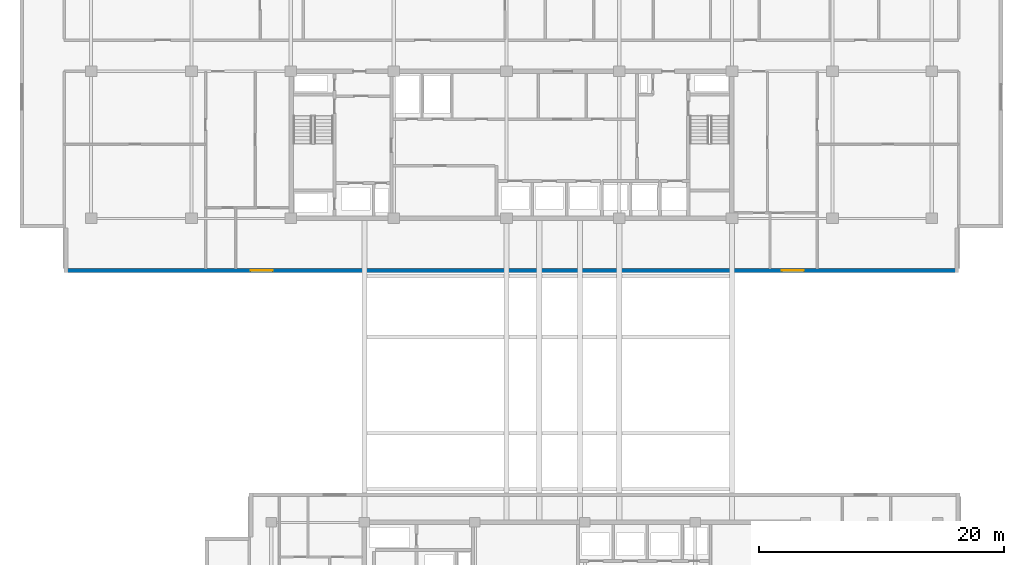
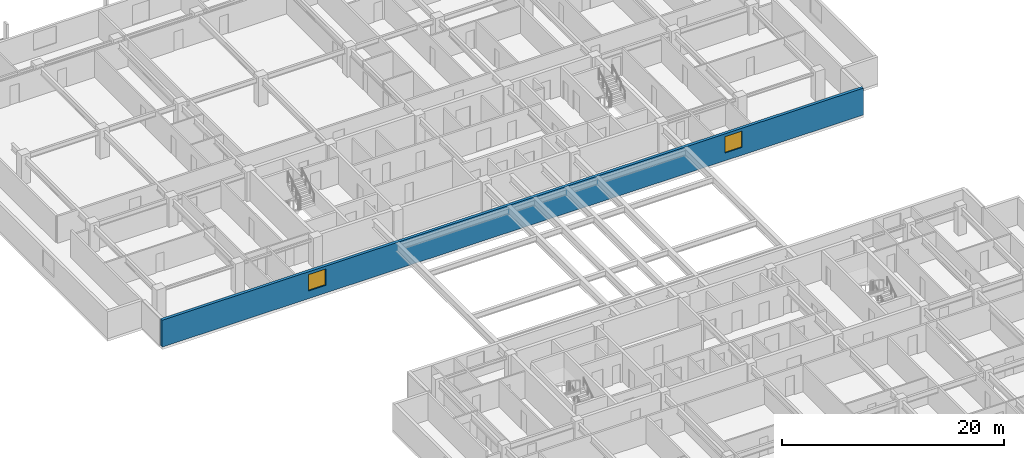
# One storey, part 8 of 21: 2 windows, 1 wall, 2 openings.
"""IFC4 building model written with IfcOpenShell, lengths in metres."""

import ifcopenshell
import ifcopenshell.guid

model = None  # the IFC model being written
_history = None  # IfcOwnerHistory: only IFC2X3 demands one
_inside = {}  # id of a spatial element -> (the spatial element, [elements in it])
_under = {}  # id of a project, library or spatial element -> (it, [spatial elements below it])
_declared = {}  # id of a project -> (the project, [libraries it declares])
_typed = {}  # id of a type object -> (the type object, [elements of that type])
_made_of = {}  # id of a material, layer set ... -> (it, [elements and type objects made of it])


def new_model(schema):
    """Start an empty IFC model of exactly this schema.

    Asked for "IFC4X3", IfcOpenShell would pick the latest addendum, in which some entities
    have other attributes; the version numbers below select the first issue.
    IFC2X3 requires an IfcOwnerHistory on every rooted entity: one is made here for all.
    """
    global model, _history
    if schema == "IFC4X3":
        model = ifcopenshell.file(schema_version=(4, 3, 0, 0))
    else:
        model = ifcopenshell.file(schema=schema)
    _inside.clear()
    _under.clear()
    _declared.clear()
    _typed.clear()
    _made_of.clear()
    _history = None
    if model.schema == "IFC2X3":
        org = make("IfcOrganization", Name="unknown")
        user = make(
            "IfcPersonAndOrganization",
            ThePerson=make("IfcPerson", FamilyName="unknown"),
            TheOrganization=org,
        )
        app = make(
            "IfcApplication",
            ApplicationDeveloper=org,
            Version="unknown",
            ApplicationFullName="unknown",
            ApplicationIdentifier="unknown",
        )
        _history = make(
            "IfcOwnerHistory",
            OwningUser=user,
            OwningApplication=app,
            ChangeAction="ADDED",
            CreationDate=0,
        )
    return model


def make(cls, **values):
    """One entity of the class cls with the attributes given. An attribute that is None is left unset."""
    return model.create_entity(
        cls, **{name: value for name, value in values.items() if value is not None}
    )


def rooted(cls, **values):
    """An entity with a GlobalId (a new one), such as an element, a storey or a relation."""
    return make(cls, GlobalId=ifcopenshell.guid.new(), OwnerHistory=_history, **values)


def si_unit(unit_type, name, prefix=None):
    """IfcSIUnit, for example si_unit("LENGTHUNIT", "METRE", prefix="MILLI")."""
    return make("IfcSIUnit", UnitType=unit_type, Prefix=prefix, Name=name)


def assignment(units):
    """IfcUnitAssignment: the units of a project."""
    return None if units is None else make("IfcUnitAssignment", Units=units)


def point(xyz):
    """IfcCartesianPoint."""
    return None if xyz is None else make("IfcCartesianPoint", Coordinates=xyz)


def direction(xyz):
    """IfcDirection."""
    return None if xyz is None else make("IfcDirection", DirectionRatios=xyz)


def frame(location, z_axis=None, x_axis=None):
    """IfcAxis2Placement3D, a coordinate frame: its origin and axes. An axis left out is left unset."""
    return make(
        "IfcAxis2Placement3D",
        Location=point(location),
        Axis=direction(z_axis),
        RefDirection=direction(x_axis),
    )


def frame_2d(location, x_axis=None):
    """IfcAxis2Placement2D, a coordinate frame in the plane: its origin and x axis."""
    return make(
        "IfcAxis2Placement2D", Location=point(location), RefDirection=direction(x_axis)
    )


def origin():
    """The frame at (0, 0, 0) with its axes left unset."""
    return frame((0.0, 0.0, 0.0))


def place(relative_to, where):
    """IfcLocalPlacement: puts the frame where relative to a parent placement (None: the world)."""
    return make(
        "IfcLocalPlacement", PlacementRelTo=relative_to, RelativePlacement=where
    )


def context(
    kind, dimensions, precision=None, world=None, true_north=None, identifier=None
):
    """IfcGeometricRepresentationContext, for example the 3D "Model" context."""
    return make(
        "IfcGeometricRepresentationContext",
        ContextIdentifier=identifier,
        ContextType=kind,
        CoordinateSpaceDimension=dimensions,
        Precision=precision,
        WorldCoordinateSystem=world,
        TrueNorth=true_north,
    )


def subcontext(parent, identifier, kind, view, scale=None):
    """IfcGeometricRepresentationSubContext, for example "Body" below "Model"."""
    return make(
        "IfcGeometricRepresentationSubContext",
        ContextIdentifier=identifier,
        ContextType=kind,
        ParentContext=parent,
        TargetScale=scale,
        TargetView=view,
    )


def project(units=None, contexts=None):
    """IfcProject with its units and contexts."""
    return rooted(
        "IfcProject",
        Name="project",
        RepresentationContexts=contexts,
        UnitsInContext=assignment(units),
    )


def spatial(cls, under=None, at=None, **own):
    """A site, building, storey or space (cls), placed at a placement, below another one or the project."""
    s = rooted(cls, ObjectPlacement=at, **own)
    if under is not None:
        _under.setdefault(under.id(), (under, []))[1].append(s)
    return s


def profile(cls, at=None, kind="AREA", **sizes):
    """A parametric profile (cls). Its sizes go by their IFC names, for example OverallWidth=200.0."""
    return make(cls, ProfileType=kind, Position=at, **sizes)


def rectangle(**sizes):
    """IfcRectangleProfileDef."""
    return profile("IfcRectangleProfileDef", **sizes)


def extrude(swept, where, along, depth):
    """IfcExtrudedAreaSolid: the profile swept, set in the frame where, extruded along a direction by depth."""
    return make(
        "IfcExtrudedAreaSolid",
        SweptArea=swept,
        Position=where,
        ExtrudedDirection=direction(along),
        Depth=depth,
    )


def shape(context_of_items, identifier, shape_type, items):
    """IfcShapeRepresentation: the items that make up one representation, for example the "Body"."""
    return make(
        "IfcShapeRepresentation",
        ContextOfItems=context_of_items,
        RepresentationIdentifier=identifier,
        RepresentationType=shape_type,
        Items=items,
    )


def material(Name=None, Category=None):
    """IfcMaterial."""
    return make("IfcMaterial", Name=Name, Category=Category)


def layer(
    of_material, thickness, ventilated=None, Name=None, Category=None, Priority=None
):
    """IfcMaterialLayer: one layer of a wall or slab, of a material (None: an air gap)."""
    return make(
        "IfcMaterialLayer",
        Material=of_material,
        LayerThickness=thickness,
        IsVentilated=ventilated,
        Name=Name,
        Category=Category,
        Priority=Priority,
    )


def layer_set(layers, Name=None):
    """IfcMaterialLayerSet."""
    return make("IfcMaterialLayerSet", MaterialLayers=layers, LayerSetName=Name)


def made_of(thing, what):
    """Note that an element or type object is made of a material, layer set ...; save() writes the relation."""
    if what is not None:
        _made_of.setdefault(what.id(), (what, []))[1].append(thing)
    return thing


def type_object(cls, material=None, **own):
    """A type object (cls), such as IfcWallType, which elements share."""
    return made_of(rooted(cls, **own), material)


def element(
    cls,
    number,
    at=None,
    inside=None,
    cuts=None,
    type_object=None,
    material=None,
    context=None,
    identifier="Body",
    shape_type=None,
    held_by="IfcProductDefinitionShape",
    body=None,
    shapes=None,
    **own,
):
    """One element of the class cls, such as IfcWall. Its Tag is "e" and its number.

    at: its placement. inside: the storey or other place that contains it. cuts: it is an
    opening in that element (IfcRelVoidsElement). A single representation is given by context,
    identifier, shape_type and body (its items); several are given by shapes. held_by: the class
    of the entity that holds the representations. save() writes the other relations.
    """
    e = rooted(cls, Tag="e%d" % number, ObjectPlacement=at, **own)
    if body is not None:
        shapes = [shape(context, identifier, shape_type, body)]
    if shapes is not None:
        e.Representation = make(held_by, Representations=shapes)
    if inside is not None:
        _inside.setdefault(inside.id(), (inside, []))[1].append(e)
    if cuts is not None:
        rooted(
            "IfcRelVoidsElement", RelatingBuildingElement=cuts, RelatedOpeningElement=e
        )
    if type_object is not None:
        _typed.setdefault(type_object.id(), (type_object, []))[1].append(e)
    return made_of(e, material)


def fill(opening, filler):
    """IfcRelFillsElement: the door or window that sits in an opening."""
    return rooted(
        "IfcRelFillsElement",
        RelatingOpeningElement=opening,
        RelatedBuildingElement=filler,
    )


def aggregate(whole, parts):
    """IfcRelAggregates: a whole, such as a stair, and the parts it consists of."""
    return rooted("IfcRelAggregates", RelatingObject=whole, RelatedObjects=parts)


def save(model, path):
    """Write the relations noted so far, then the file.

    IfcRelAggregates (storeys below a building ...), IfcRelContainedInSpatialStructure (elements
    in a storey), IfcRelDefinesByType, IfcRelAssociatesMaterial and IfcRelDeclares: one each for
    every whole, place, type object, material and project.
    """
    for whole, parts in _under.values():
        aggregate(whole, parts)
    for where, things in _inside.values():
        rooted(
            "IfcRelContainedInSpatialStructure",
            RelatedElements=things,
            RelatingStructure=where,
        )
    for kind, things in _typed.values():
        rooted("IfcRelDefinesByType", RelatedObjects=things, RelatingType=kind)
    for what, things in _made_of.values():
        rooted("IfcRelAssociatesMaterial", RelatedObjects=things, RelatingMaterial=what)
    for by, libraries in _declared.values():
        rooted("IfcRelDeclares", RelatingContext=by, RelatedDefinitions=libraries)
    model.write(path)


model = new_model("IFC4")

# Units and contexts
model_context = context("Model", 3, precision=1e-05, world=origin(), true_north=direction((0.0, 1.0)))
body_context = subcontext(model_context, "Body", "Model", "MODEL_VIEW")
ifc_project = project(units=[si_unit("LENGTHUNIT", "METRE"), si_unit("AREAUNIT", "SQUARE_METRE"), si_unit("VOLUMEUNIT", "CUBIC_METRE"), si_unit("PLANEANGLEUNIT", "RADIAN"), si_unit("MASSUNIT", "GRAM", prefix="KILO")], contexts=[model_context])

# Site, building, storey
site_placement = place(None, origin())
site = spatial("IfcSite", under=ifc_project, at=site_placement, CompositionType="ELEMENT")
building_placement = place(site_placement, origin())
building = spatial("IfcBuilding", under=site, at=building_placement, Name="Korimba Cascade Residences", CompositionType="ELEMENT")
storey_placement = place(building_placement, frame((0.0, 0.0, 136.050048828125)))
storey = spatial("IfcBuildingStorey", under=building, at=storey_placement, Name="L39", CompositionType="ELEMENT", Elevation=136.050048828125)

# Wall, openings, windows
ifc_material_1 = material(Name="Precast concrete C40/50", Category="concrete")
ifc_layer = layer(ifc_material_1, 0.300048828125)
ifc_layer_set = layer_set([ifc_layer], Name="Precast concrete C40/50")
wall_type = type_object("IfcWallType", Name="EW-STONE-300", PredefinedType="STANDARD", material=ifc_layer_set)
wall_placement = place(storey_placement, frame((57.60009765625, 50.949951171875, 0.0), z_axis=(0.0, 0.0, 1.0), x_axis=(1.0, 0.0, 0.0)))
wall = element("IfcWall", 1, at=wall_placement, inside=storey, type_object=wall_type, Name="L39 T1 Perimeter Stone Wall E00", PredefinedType="STANDARD", context=body_context, shape_type="SweptSolid", body=[
    extrude(rectangle(XDim=73.0, YDim=0.300048828125, at=frame_2d((36.5, 0.0))), origin(), (0.0, 0.0, 1.0), 2.9599609375),
])
opening_1_placement = place(wall_placement, frame((15.22509765625, 0.0, 0.85009765625)))
opening_1 = element("IfcOpeningElement", 2, at=opening_1_placement, cuts=wall, Name="Opening W-02", PredefinedType="OPENING", context=body_context, shape_type="SweptSolid", body=[
    extrude(rectangle(XDim=1.800048828125, YDim=1.800048828125, at=frame_2d((0.89990234375, 0.89990234375))), frame((0.0, 0.16015625, 0.0), z_axis=(0.0, -1.0, 0.0), x_axis=(1.0, 0.0, 0.0)), (0.0, 0.0, 1.0), 0.320068359375),
])
opening_2_placement = place(wall_placement, frame((58.574951171875, 0.0, 0.85009765625)))
opening_2 = element("IfcOpeningElement", 3, at=opening_2_placement, cuts=wall, Name="Opening W-02", PredefinedType="OPENING", context=body_context, shape_type="SweptSolid", body=[
    extrude(rectangle(XDim=1.800048828125, YDim=1.800048828125, at=frame_2d((0.89990234375, 0.89990234375))), frame((0.0, 0.16015625, 0.0), z_axis=(0.0, -1.0, 0.0), x_axis=(1.0, 0.0, 0.0)), (0.0, 0.0, 1.0), 0.320068359375),
])
ifc_material_2 = material(Name="Double-Glazed Aluminium Window", Category="aluminium")
window_type = type_object("IfcWindowType", Name="WIN-BED-1800", PartitioningType="SINGLE_PANEL", PredefinedType="WINDOW", material=ifc_material_2)
window_1_placement = place(opening_1_placement, origin())
window_1 = element("IfcWindow", 4, at=window_1_placement, inside=storey, type_object=window_type, Name="L39 T1 South Corner Bedroom Window 1", OverallHeight=1.800048828125, OverallWidth=1.800048828125, PartitioningType="SINGLE_PANEL", PredefinedType="WINDOW", context=body_context, shape_type="SweptSolid", body=[
    extrude(rectangle(XDim=1.800048828125, YDim=1.800048828125, at=frame_2d((0.89990234375, 0.89990234375))), frame((0.0, 0.030029296875, 0.0), z_axis=(0.0, -1.0, 0.0), x_axis=(1.0, 0.0, 0.0)), (0.0, 0.0, 1.0), 0.06005859375),
])
fill(opening_1, window_1)
window_2_placement = place(opening_2_placement, origin())
window_2 = element("IfcWindow", 5, at=window_2_placement, inside=storey, type_object=window_type, Name="L39 T1 South Corner Bedroom Window 2", OverallHeight=1.800048828125, OverallWidth=1.800048828125, PartitioningType="SINGLE_PANEL", PredefinedType="WINDOW", context=body_context, shape_type="SweptSolid", body=[
    extrude(rectangle(XDim=1.800048828125, YDim=1.800048828125, at=frame_2d((0.89990234375, 0.89990234375))), frame((0.0, 0.030029296875, 0.0), z_axis=(0.0, -1.0, 0.0), x_axis=(1.0, 0.0, 0.0)), (0.0, 0.0, 1.0), 0.06005859375),
])
fill(opening_2, window_2)

save(model, "model.ifc")
